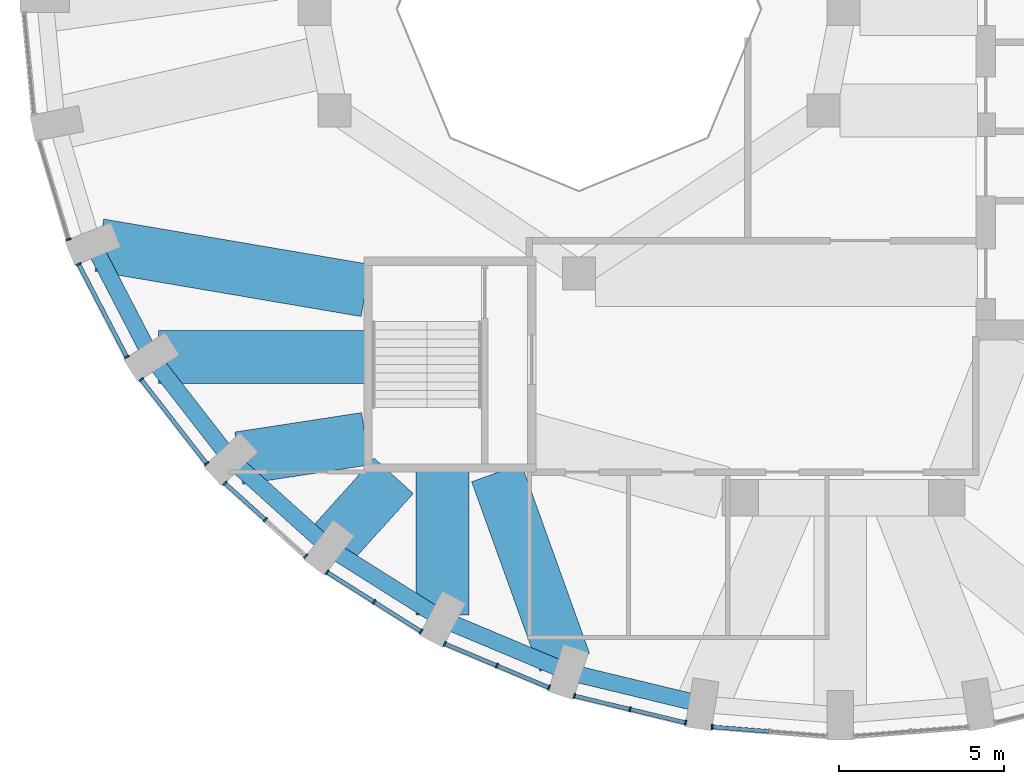
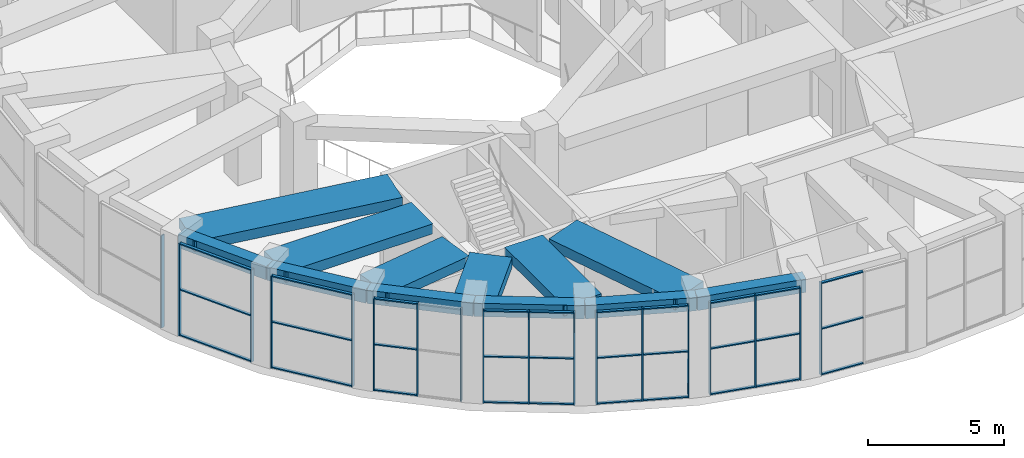
# One storey, part 2 of 17: 48 members, 12 beams, 8 elements without a shape of their own.
"""IFC4 building model written with IfcOpenShell, lengths in metres."""

from ifc_helpers import new_model, si_unit, direction, frame, origin, origin_2d, place, context, subcontext, project, spatial, rectangle, extrude, material, material_profile, profile_set, type_object, element, aggregate, save


model = new_model("IFC4")

# Units and contexts
model_context = context("Model", 3, precision=1e-05, world=origin(), true_north=direction((0.0, 1.0)))
body_context = subcontext(model_context, "Body", "Model", "MODEL_VIEW")
ifc_project = project(units=[si_unit("LENGTHUNIT", "METRE"), si_unit("AREAUNIT", "SQUARE_METRE"), si_unit("VOLUMEUNIT", "CUBIC_METRE"), si_unit("PLANEANGLEUNIT", "RADIAN"), si_unit("MASSUNIT", "GRAM", prefix="KILO")], contexts=[model_context])

# Site, building, storey
site_placement = place(None, origin())
site = spatial("IfcSite", under=ifc_project, at=site_placement, CompositionType="ELEMENT")
building_placement = place(site_placement, origin())
building = spatial("IfcBuilding", under=site, at=building_placement, Name="Taillehof Tower", CompositionType="ELEMENT")
storey_placement = place(building_placement, frame((0.0, 0.0, 259.699951171875)))
storey = spatial("IfcBuildingStorey", under=building, at=storey_placement, Name="L74", CompositionType="ELEMENT", Elevation=259.699951171875)

# Curtain wall, member
ifc_material_1 = material(Name="Aluminium curtain wall with Clear low-emissivity double glazing", Category="aluminium")
curtain_wall_type = type_object("IfcCurtainWallType", Name="Club lounge curtain wall", PredefinedType="USERDEFINED", material=ifc_material_1)
curtain_wall_1_placement = place(storey_placement, origin())
curtain_wall_1 = element("IfcCurtainWall", 1, at=curtain_wall_1_placement, inside=storey, type_object=curtain_wall_type, Name="Club lounge L74 bay 20", ObjectType="WINDOW WALL", PredefinedType="USERDEFINED")
ifc_material_2 = material(Name="Aluminium mullion", Category="aluminium")
ifc_material_profile_1 = material_profile(ifc_material_2, rectangle(XDim=0.159912109375, YDim=0.050048828125, at=origin_2d()), Name="AL 50x160")
ifc_profile_set_1 = profile_set([ifc_material_profile_1], Name="Aluminium mullion")
member_type_1 = type_object("IfcMemberType", Name="Club lounge mullion 50x160", PredefinedType="MULLION", material=ifc_profile_set_1)
member_1_placement = place(storey_placement, frame((-23.427490234375, -6.96142578125, 0.0), z_axis=(0.0, 0.0, 1.0), x_axis=(0.958457446134, 0.285235558707, 0.0)))
member_1 = element("IfcMember", 2, at=member_1_placement, type_object=member_type_1, Name="CT4E20 mullion 2", PredefinedType="MULLION", context=body_context, shape_type="SweptSolid", body=[
    extrude(rectangle(XDim=0.159912109375, YDim=0.050048828125, at=origin_2d()), origin(), (0.0, 0.0, 1.0), 4.150146484375),
])
aggregate(curtain_wall_1, [member_1])

# Curtain wall, members
curtain_wall_2_placement = place(storey_placement, origin())
curtain_wall_2 = element("IfcCurtainWall", 3, at=curtain_wall_2_placement, inside=storey, type_object=curtain_wall_type, Name="Club lounge L74 bay 21", ObjectType="WINDOW WALL", PredefinedType="USERDEFINED")
member_2_placement = place(storey_placement, frame((-23.124267578125, -7.71240234375, 0.0), z_axis=(0.0, 0.0, 1.0), x_axis=(0.887975262702, 0.459891218474, 0.0)))
member_2 = element("IfcMember", 4, at=member_2_placement, type_object=member_type_1, Name="CT4E21 mullion 1", PredefinedType="MULLION", context=body_context, shape_type="SweptSolid", body=[
    extrude(rectangle(XDim=0.159912109375, YDim=0.050048828125, at=origin_2d()), origin(), (0.0, 0.0, 1.0), 4.150146484375),
])
member_3_placement = place(storey_placement, frame((-21.670654296875, -10.51904296875, 0.0), z_axis=(0.0, 0.0, 1.0), x_axis=(0.887975262702, 0.459891218474, 0.0)))
member_3 = element("IfcMember", 5, at=member_3_placement, type_object=member_type_1, Name="CT4E21 mullion 2", PredefinedType="MULLION", context=body_context, shape_type="SweptSolid", body=[
    extrude(rectangle(XDim=0.159912109375, YDim=0.050048828125, at=origin_2d()), origin(), (0.0, 0.0, 1.0), 4.150146484375),
])

curtain_wall_3_placement = place(storey_placement, origin())
curtain_wall_3 = element("IfcCurtainWall", 6, at=curtain_wall_3_placement, inside=storey, type_object=curtain_wall_type, Name="Club lounge L74 bay 22", ObjectType="WINDOW WALL", PredefinedType="USERDEFINED")
member_4_placement = place(storey_placement, frame((-21.23388671875, -11.201416015625, 0.0), z_axis=(0.0, 0.0, 1.0), x_axis=(0.789381612432, 0.613902818005, 0.0)))
member_4 = element("IfcMember", 7, at=member_4_placement, type_object=member_type_1, Name="CT4E22 mullion 1", PredefinedType="MULLION", context=body_context, shape_type="SweptSolid", body=[
    extrude(rectangle(XDim=0.159912109375, YDim=0.050048828125, at=origin_2d()), origin(), (0.0, 0.0, 1.0), 4.150146484375),
])
member_5_placement = place(storey_placement, frame((-19.25634765625, -13.744384765625, 0.0), z_axis=(0.0, 0.0, 1.0), x_axis=(0.789381612432, 0.613902818005, 0.0)))
member_5 = element("IfcMember", 8, at=member_5_placement, type_object=member_type_1, Name="CT4E22 mullion 2", PredefinedType="MULLION", context=body_context, shape_type="SweptSolid", body=[
    extrude(rectangle(XDim=0.159912109375, YDim=0.050048828125, at=origin_2d()), origin(), (0.0, 0.0, 1.0), 4.150146484375),
])

curtain_wall_4_placement = place(storey_placement, origin())
curtain_wall_4 = element("IfcCurtainWall", 9, at=curtain_wall_4_placement, inside=storey, type_object=curtain_wall_type, Name="Club lounge L74 bay 23", ObjectType="WINDOW WALL", PredefinedType="USERDEFINED")
member_6_placement = place(storey_placement, frame((-18.70458984375, -14.33740234375, 0.0), z_axis=(0.0, 0.0, 1.0), x_axis=(0.669107157872, 0.74316593792, 0.0)))
member_6 = element("IfcMember", 10, at=member_6_placement, type_object=member_type_1, Name="CT4E23 mullion 1", PredefinedType="MULLION", context=body_context, shape_type="SweptSolid", body=[
    extrude(rectangle(XDim=0.159912109375, YDim=0.050048828125, at=origin_2d()), origin(), (0.0, 0.0, 1.0), 4.150146484375),
])
member_7_placement = place(storey_placement, frame((-17.48193359375, -15.43798828125, 0.0), z_axis=(0.0, 0.0, 1.0), x_axis=(0.669107157872, 0.74316593792, 0.0)))
member_7 = element("IfcMember", 11, at=member_7_placement, type_object=member_type_1, Name="CT4E23 mullion 2", PredefinedType="MULLION", context=body_context, shape_type="SweptSolid", body=[
    extrude(rectangle(XDim=0.159912109375, YDim=0.050048828125, at=origin_2d()), origin(), (0.0, 0.0, 1.0), 4.150146484375),
])
member_8_placement = place(storey_placement, frame((-16.259521484375, -16.53857421875, 0.0), z_axis=(0.0, 0.0, 1.0), x_axis=(0.669107157872, 0.74316593792, 0.0)))
member_8 = element("IfcMember", 12, at=member_8_placement, type_object=member_type_1, Name="CT4E23 mullion 3", PredefinedType="MULLION", context=body_context, shape_type="SweptSolid", body=[
    extrude(rectangle(XDim=0.159912109375, YDim=0.050048828125, at=origin_2d()), origin(), (0.0, 0.0, 1.0), 4.150146484375),
])

curtain_wall_5_placement = place(storey_placement, origin())
curtain_wall_5 = element("IfcCurtainWall", 13, at=curtain_wall_5_placement, inside=storey, type_object=curtain_wall_type, Name="Club lounge L74 bay 24", ObjectType="WINDOW WALL", PredefinedType="USERDEFINED")
member_9_placement = place(storey_placement, frame((-15.613525390625, -17.02734375, 0.0), z_axis=(0.0, 0.0, 1.0), x_axis=(0.533294430468, 0.845929695916, 0.0)))
member_9 = element("IfcMember", 14, at=member_9_placement, type_object=member_type_1, Name="CT4E24 mullion 1", PredefinedType="MULLION", context=body_context, shape_type="SweptSolid", body=[
    extrude(rectangle(XDim=0.159912109375, YDim=0.050048828125, at=origin_2d()), origin(), (0.0, 0.0, 1.0), 4.150146484375),
])
member_10_placement = place(storey_placement, frame((-14.193603515625, -17.922607421875, 0.0), z_axis=(0.0, 0.0, 1.0), x_axis=(0.533294430468, 0.845929695916, 0.0)))
member_10 = element("IfcMember", 15, at=member_10_placement, type_object=member_type_1, Name="CT4E24 mullion 2", PredefinedType="MULLION", context=body_context, shape_type="SweptSolid", body=[
    extrude(rectangle(XDim=0.159912109375, YDim=0.050048828125, at=origin_2d()), origin(), (0.0, 0.0, 1.0), 4.150146484375),
])
member_11_placement = place(storey_placement, frame((-12.773681640625, -18.817626953125, 0.0), z_axis=(0.0, 0.0, 1.0), x_axis=(0.533294430468, 0.845929695916, 0.0)))
member_11 = element("IfcMember", 16, at=member_11_placement, type_object=member_type_1, Name="CT4E24 mullion 3", PredefinedType="MULLION", context=body_context, shape_type="SweptSolid", body=[
    extrude(rectangle(XDim=0.159912109375, YDim=0.050048828125, at=origin_2d()), origin(), (0.0, 0.0, 1.0), 4.150146484375),
])

curtain_wall_6_placement = place(storey_placement, origin())
curtain_wall_6 = element("IfcCurtainWall", 17, at=curtain_wall_6_placement, inside=storey, type_object=curtain_wall_type, Name="Club lounge L74 bay 25", ObjectType="WINDOW WALL", PredefinedType="USERDEFINED")
member_12_placement = place(storey_placement, frame((-12.055419921875, -19.191650390625, 0.0), z_axis=(0.0, 0.0, 1.0), x_axis=(0.387100713636, 0.922037438233, 0.0)))
member_12 = element("IfcMember", 18, at=member_12_placement, type_object=member_type_1, Name="CT4E25 mullion 1", PredefinedType="MULLION", context=body_context, shape_type="SweptSolid", body=[
    extrude(rectangle(XDim=0.159912109375, YDim=0.050048828125, at=origin_2d()), origin(), (0.0, 0.0, 1.0), 4.150146484375),
])
member_13_placement = place(storey_placement, frame((-10.480712890625, -19.852783203125, 0.0), z_axis=(0.0, 0.0, 1.0), x_axis=(0.387100713636, 0.922037438233, 0.0)))
member_13 = element("IfcMember", 19, at=member_13_placement, type_object=member_type_1, Name="CT4E25 mullion 2", PredefinedType="MULLION", context=body_context, shape_type="SweptSolid", body=[
    extrude(rectangle(XDim=0.159912109375, YDim=0.050048828125, at=origin_2d()), origin(), (0.0, 0.0, 1.0), 4.150146484375),
])
member_14_placement = place(storey_placement, frame((-8.90625, -20.513671875, 0.0), z_axis=(0.0, 0.0, 1.0), x_axis=(0.387100713636, 0.922037438233, 0.0)))
member_14 = element("IfcMember", 20, at=member_14_placement, type_object=member_type_1, Name="CT4E25 mullion 3", PredefinedType="MULLION", context=body_context, shape_type="SweptSolid", body=[
    extrude(rectangle(XDim=0.159912109375, YDim=0.050048828125, at=origin_2d()), origin(), (0.0, 0.0, 1.0), 4.150146484375),
])

curtain_wall_7_placement = place(storey_placement, origin())
curtain_wall_7 = element("IfcCurtainWall", 21, at=curtain_wall_7_placement, inside=storey, type_object=curtain_wall_type, Name="Club lounge L74 bay 26", ObjectType="WINDOW WALL", PredefinedType="USERDEFINED")
member_15_placement = place(storey_placement, frame((-8.13671875, -20.766357421875, 0.0), z_axis=(0.0, 0.0, 1.0), x_axis=(0.234514520129, 0.972112616855, 0.0)))
member_15 = element("IfcMember", 22, at=member_15_placement, type_object=member_type_1, Name="CT4E26 mullion 1", PredefinedType="MULLION", context=body_context, shape_type="SweptSolid", body=[
    extrude(rectangle(XDim=0.159912109375, YDim=0.050048828125, at=origin_2d()), origin(), (0.0, 0.0, 1.0), 4.150146484375),
])
member_16_placement = place(storey_placement, frame((-6.455810546875, -21.171875, 0.0), z_axis=(0.0, 0.0, 1.0), x_axis=(0.234514520129, 0.972112616855, 0.0)))
member_16 = element("IfcMember", 23, at=member_16_placement, type_object=member_type_1, Name="CT4E26 mullion 2", PredefinedType="MULLION", context=body_context, shape_type="SweptSolid", body=[
    extrude(rectangle(XDim=0.159912109375, YDim=0.050048828125, at=origin_2d()), origin(), (0.0, 0.0, 1.0), 4.150146484375),
])
member_17_placement = place(storey_placement, frame((-4.77490234375, -21.577392578125, 0.0), z_axis=(0.0, 0.0, 1.0), x_axis=(0.234514520129, 0.972112616855, 0.0)))
member_17 = element("IfcMember", 24, at=member_17_placement, type_object=member_type_1, Name="CT4E26 mullion 3", PredefinedType="MULLION", context=body_context, shape_type="SweptSolid", body=[
    extrude(rectangle(XDim=0.159912109375, YDim=0.050048828125, at=origin_2d()), origin(), (0.0, 0.0, 1.0), 4.150146484375),
])

# Curtain wall, member
curtain_wall_8_placement = place(storey_placement, origin())
curtain_wall_8 = element("IfcCurtainWall", 25, at=curtain_wall_8_placement, inside=storey, type_object=curtain_wall_type, Name="Club lounge L74 bay 27", ObjectType="WINDOW WALL", PredefinedType="USERDEFINED")
member_18_placement = place(storey_placement, frame((-3.97509765625, -21.70458984375, 0.0), z_axis=(0.0, 0.0, 1.0), x_axis=(0.078525059075, 0.996912140109, 0.0)))
member_18 = element("IfcMember", 26, at=member_18_placement, type_object=member_type_1, Name="CT4E27 mullion 1", PredefinedType="MULLION", context=body_context, shape_type="SweptSolid", body=[
    extrude(rectangle(XDim=0.159912109375, YDim=0.050048828125, at=origin_2d()), origin(), (0.0, 0.0, 1.0), 4.150146484375),
])

# Member
ifc_material_3 = material(Name="Aluminium transom", Category="aluminium")
ifc_material_profile_2 = material_profile(ifc_material_3, rectangle(XDim=0.1201171875, YDim=0.050048828125, at=origin_2d()), Name="AL 120x50")
ifc_profile_set_2 = profile_set([ifc_material_profile_2], Name="Aluminium transom")
member_type_2 = type_object("IfcMemberType", Name="Club lounge transom 120x50", PredefinedType="USERDEFINED", material=ifc_profile_set_2)
member_19_placement = place(storey_placement, frame((-23.11279296875, -7.734619140625, 0.025146484375), z_axis=(0.459881873637, -0.887980102424, 0.0), x_axis=(0.887980102424, 0.459881873637, 0.0)))
member_19 = element("IfcMember", 27, at=member_19_placement, type_object=member_type_2, Name="CT4E21 transom 1.1", ObjectType="TRANSOM", PredefinedType="USERDEFINED", context=body_context, shape_type="SweptSolid", body=[
    extrude(rectangle(XDim=0.1201171875, YDim=0.050048828125, at=origin_2d()), origin(), (0.0, 0.0, 1.0), 3.11083984375),
])

member_20_placement = place(storey_placement, frame((-23.11279296875, -7.734619140625, 2.074951171875), z_axis=(0.459881873637, -0.887980102424, 0.0), x_axis=(0.887980102424, 0.459881873637, 0.0)))
member_20 = element("IfcMember", 28, at=member_20_placement, type_object=member_type_2, Name="CT4E21 transom 1.2", ObjectType="TRANSOM", PredefinedType="USERDEFINED", context=body_context, shape_type="SweptSolid", body=[
    extrude(rectangle(XDim=0.1201171875, YDim=0.050048828125, at=origin_2d()), origin(), (0.0, 0.0, 1.0), 3.11083984375),
])

member_21_placement = place(storey_placement, frame((-23.11279296875, -7.734619140625, 4.125), z_axis=(0.459881873637, -0.887980102424, 0.0), x_axis=(0.887980102424, 0.459881873637, 0.0)))
member_21 = element("IfcMember", 29, at=member_21_placement, type_object=member_type_2, Name="CT4E21 transom 1.3", ObjectType="TRANSOM", PredefinedType="USERDEFINED", context=body_context, shape_type="SweptSolid", body=[
    extrude(rectangle(XDim=0.1201171875, YDim=0.050048828125, at=origin_2d()), origin(), (0.0, 0.0, 1.0), 3.11083984375),
])

aggregate(curtain_wall_2, [member_2, member_3, member_19, member_20, member_21])

member_22_placement = place(storey_placement, frame((-21.21875, -11.220947265625, 0.025146484375), z_axis=(0.613935284613, -0.789356362049, 0.0), x_axis=(0.789356362049, 0.613935284613, 0.0)))
member_22 = element("IfcMember", 30, at=member_22_placement, type_object=member_type_2, Name="CT4E22 transom 1.1", ObjectType="TRANSOM", PredefinedType="USERDEFINED", context=body_context, shape_type="SweptSolid", body=[
    extrude(rectangle(XDim=0.1201171875, YDim=0.050048828125, at=origin_2d()), origin(), (0.0, 0.0, 1.0), 3.171875),
])

member_23_placement = place(storey_placement, frame((-21.21875, -11.220947265625, 2.074951171875), z_axis=(0.613935284613, -0.789356362049, 0.0), x_axis=(0.789356362049, 0.613935284613, 0.0)))
member_23 = element("IfcMember", 31, at=member_23_placement, type_object=member_type_2, Name="CT4E22 transom 1.2", ObjectType="TRANSOM", PredefinedType="USERDEFINED", context=body_context, shape_type="SweptSolid", body=[
    extrude(rectangle(XDim=0.1201171875, YDim=0.050048828125, at=origin_2d()), origin(), (0.0, 0.0, 1.0), 3.171875),
])

member_24_placement = place(storey_placement, frame((-21.21875, -11.220947265625, 4.125), z_axis=(0.613935284613, -0.789356362049, 0.0), x_axis=(0.789356362049, 0.613935284613, 0.0)))
member_24 = element("IfcMember", 32, at=member_24_placement, type_object=member_type_2, Name="CT4E22 transom 1.3", ObjectType="TRANSOM", PredefinedType="USERDEFINED", context=body_context, shape_type="SweptSolid", body=[
    extrude(rectangle(XDim=0.1201171875, YDim=0.050048828125, at=origin_2d()), origin(), (0.0, 0.0, 1.0), 3.171875),
])

aggregate(curtain_wall_3, [member_4, member_5, member_22, member_23, member_24])

member_25_placement = place(storey_placement, frame((-18.685791015625, -14.35400390625, 0.025146484375), z_axis=(0.743103848855, -0.669176112707, 0.0), x_axis=(0.669176112707, 0.743103848855, 0.0)))
member_25 = element("IfcMember", 33, at=member_25_placement, type_object=member_type_2, Name="CT4E23 transom 1.1", ObjectType="TRANSOM", PredefinedType="USERDEFINED", context=body_context, shape_type="SweptSolid", body=[
    extrude(rectangle(XDim=0.1201171875, YDim=0.050048828125, at=origin_2d()), origin(), (0.0, 0.0, 1.0), 1.594970703125),
])

member_26_placement = place(storey_placement, frame((-18.685791015625, -14.35400390625, 2.074951171875), z_axis=(0.743103848855, -0.669176112707, 0.0), x_axis=(0.669176112707, 0.743103848855, 0.0)))
member_26 = element("IfcMember", 34, at=member_26_placement, type_object=member_type_2, Name="CT4E23 transom 1.2", ObjectType="TRANSOM", PredefinedType="USERDEFINED", context=body_context, shape_type="SweptSolid", body=[
    extrude(rectangle(XDim=0.1201171875, YDim=0.050048828125, at=origin_2d()), origin(), (0.0, 0.0, 1.0), 1.594970703125),
])

member_27_placement = place(storey_placement, frame((-18.685791015625, -14.35400390625, 4.125), z_axis=(0.743103848855, -0.669176112707, 0.0), x_axis=(0.669176112707, 0.743103848855, 0.0)))
member_27 = element("IfcMember", 35, at=member_27_placement, type_object=member_type_2, Name="CT4E23 transom 1.3", ObjectType="TRANSOM", PredefinedType="USERDEFINED", context=body_context, shape_type="SweptSolid", body=[
    extrude(rectangle(XDim=0.1201171875, YDim=0.050048828125, at=origin_2d()), origin(), (0.0, 0.0, 1.0), 1.594970703125),
])

aggregate(curtain_wall_4, [member_6, member_7, member_8, member_25, member_26, member_27])

member_28_placement = place(storey_placement, frame((-15.592529296875, -17.040771484375, 0.025146484375), z_axis=(0.845962356538, -0.533242619565, 0.0), x_axis=(0.533242619565, 0.845962356538, 0.0)))
member_28 = element("IfcMember", 36, at=member_28_placement, type_object=member_type_2, Name="CT4E24 transom 1.1", ObjectType="TRANSOM", PredefinedType="USERDEFINED", context=body_context, shape_type="SweptSolid", body=[
    extrude(rectangle(XDim=0.1201171875, YDim=0.050048828125, at=origin_2d()), origin(), (0.0, 0.0, 1.0), 1.628662109375),
])

member_29_placement = place(storey_placement, frame((-15.592529296875, -17.040771484375, 2.074951171875), z_axis=(0.845962356538, -0.533242619565, 0.0), x_axis=(0.533242619565, 0.845962356538, 0.0)))
member_29 = element("IfcMember", 37, at=member_29_placement, type_object=member_type_2, Name="CT4E24 transom 1.2", ObjectType="TRANSOM", PredefinedType="USERDEFINED", context=body_context, shape_type="SweptSolid", body=[
    extrude(rectangle(XDim=0.1201171875, YDim=0.050048828125, at=origin_2d()), origin(), (0.0, 0.0, 1.0), 1.628662109375),
])

member_30_placement = place(storey_placement, frame((-15.592529296875, -17.040771484375, 4.125), z_axis=(0.845962356538, -0.533242619565, 0.0), x_axis=(0.533242619565, 0.845962356538, 0.0)))
member_30 = element("IfcMember", 38, at=member_30_placement, type_object=member_type_2, Name="CT4E24 transom 1.3", ObjectType="TRANSOM", PredefinedType="USERDEFINED", context=body_context, shape_type="SweptSolid", body=[
    extrude(rectangle(XDim=0.1201171875, YDim=0.050048828125, at=origin_2d()), origin(), (0.0, 0.0, 1.0), 1.628662109375),
])

member_31_placement = place(storey_placement, frame((-14.172607421875, -17.935791015625, 0.025146484375), z_axis=(0.845894728647, -0.533349892704, 0.0), x_axis=(0.533349892704, 0.845894728647, 0.0)))
member_31 = element("IfcMember", 39, at=member_31_placement, type_object=member_type_2, Name="CT4E24 transom 2.1", ObjectType="TRANSOM", PredefinedType="USERDEFINED", context=body_context, shape_type="SweptSolid", body=[
    extrude(rectangle(XDim=0.1201171875, YDim=0.050048828125, at=origin_2d()), origin(), (0.0, 0.0, 1.0), 1.628662109375),
])

member_32_placement = place(storey_placement, frame((-14.172607421875, -17.935791015625, 2.074951171875), z_axis=(0.845894728647, -0.533349892704, 0.0), x_axis=(0.533349892704, 0.845894728647, 0.0)))
member_32 = element("IfcMember", 40, at=member_32_placement, type_object=member_type_2, Name="CT4E24 transom 2.2", ObjectType="TRANSOM", PredefinedType="USERDEFINED", context=body_context, shape_type="SweptSolid", body=[
    extrude(rectangle(XDim=0.1201171875, YDim=0.050048828125, at=origin_2d()), origin(), (0.0, 0.0, 1.0), 1.628662109375),
])

member_33_placement = place(storey_placement, frame((-14.172607421875, -17.935791015625, 4.125), z_axis=(0.845894728647, -0.533349892704, 0.0), x_axis=(0.533349892704, 0.845894728647, 0.0)))
member_33 = element("IfcMember", 41, at=member_33_placement, type_object=member_type_2, Name="CT4E24 transom 2.3", ObjectType="TRANSOM", PredefinedType="USERDEFINED", context=body_context, shape_type="SweptSolid", body=[
    extrude(rectangle(XDim=0.1201171875, YDim=0.050048828125, at=origin_2d()), origin(), (0.0, 0.0, 1.0), 1.628662109375),
])

aggregate(curtain_wall_5, [member_9, member_10, member_11, member_28, member_29, member_30, member_31, member_32, member_33])

member_34_placement = place(storey_placement, frame((-12.0322265625, -19.201416015625, 0.025146484375), z_axis=(0.922045196858, -0.387082232802, 0.0), x_axis=(0.387082232802, 0.922045196858, 0.0)))
member_34 = element("IfcMember", 42, at=member_34_placement, type_object=member_type_2, Name="CT4E25 transom 1.1", ObjectType="TRANSOM", PredefinedType="USERDEFINED", context=body_context, shape_type="SweptSolid", body=[
    extrude(rectangle(XDim=0.1201171875, YDim=0.050048828125, at=origin_2d()), origin(), (0.0, 0.0, 1.0), 1.657470703125),
])

member_35_placement = place(storey_placement, frame((-12.0322265625, -19.201416015625, 2.074951171875), z_axis=(0.922045196858, -0.387082232802, 0.0), x_axis=(0.387082232802, 0.922045196858, 0.0)))
member_35 = element("IfcMember", 43, at=member_35_placement, type_object=member_type_2, Name="CT4E25 transom 1.2", ObjectType="TRANSOM", PredefinedType="USERDEFINED", context=body_context, shape_type="SweptSolid", body=[
    extrude(rectangle(XDim=0.1201171875, YDim=0.050048828125, at=origin_2d()), origin(), (0.0, 0.0, 1.0), 1.657470703125),
])

member_36_placement = place(storey_placement, frame((-12.0322265625, -19.201416015625, 4.125), z_axis=(0.922045196858, -0.387082232802, 0.0), x_axis=(0.387082232802, 0.922045196858, 0.0)))
member_36 = element("IfcMember", 44, at=member_36_placement, type_object=member_type_2, Name="CT4E25 transom 1.3", ObjectType="TRANSOM", PredefinedType="USERDEFINED", context=body_context, shape_type="SweptSolid", body=[
    extrude(rectangle(XDim=0.1201171875, YDim=0.050048828125, at=origin_2d()), origin(), (0.0, 0.0, 1.0), 1.657470703125),
])

member_37_placement = place(storey_placement, frame((-10.457763671875, -19.8623046875, 0.025146484375), z_axis=(0.922014699526, -0.387154870636, 0.0), x_axis=(0.387154870636, 0.922014699526, 0.0)))
member_37 = element("IfcMember", 45, at=member_37_placement, type_object=member_type_2, Name="CT4E25 transom 2.1", ObjectType="TRANSOM", PredefinedType="USERDEFINED", context=body_context, shape_type="SweptSolid", body=[
    extrude(rectangle(XDim=0.1201171875, YDim=0.050048828125, at=origin_2d()), origin(), (0.0, 0.0, 1.0), 1.657958984375),
])

member_38_placement = place(storey_placement, frame((-10.457763671875, -19.8623046875, 2.074951171875), z_axis=(0.922014699526, -0.387154870636, 0.0), x_axis=(0.387154870636, 0.922014699526, 0.0)))
member_38 = element("IfcMember", 46, at=member_38_placement, type_object=member_type_2, Name="CT4E25 transom 2.2", ObjectType="TRANSOM", PredefinedType="USERDEFINED", context=body_context, shape_type="SweptSolid", body=[
    extrude(rectangle(XDim=0.1201171875, YDim=0.050048828125, at=origin_2d()), origin(), (0.0, 0.0, 1.0), 1.657958984375),
])

member_39_placement = place(storey_placement, frame((-10.457763671875, -19.8623046875, 4.125), z_axis=(0.922014699526, -0.387154870636, 0.0), x_axis=(0.387154870636, 0.922014699526, 0.0)))
member_39 = element("IfcMember", 47, at=member_39_placement, type_object=member_type_2, Name="CT4E25 transom 2.3", ObjectType="TRANSOM", PredefinedType="USERDEFINED", context=body_context, shape_type="SweptSolid", body=[
    extrude(rectangle(XDim=0.1201171875, YDim=0.050048828125, at=origin_2d()), origin(), (0.0, 0.0, 1.0), 1.657958984375),
])

aggregate(curtain_wall_6, [member_12, member_13, member_14, member_34, member_35, member_36, member_37, member_38, member_39])

member_40_placement = place(storey_placement, frame((-8.1123046875, -20.772216796875, 0.025146484375), z_axis=(0.972110790257, -0.234522091637, 0.0), x_axis=(0.234522091637, 0.972110790257, 0.0)))
member_40 = element("IfcMember", 48, at=member_40_placement, type_object=member_type_2, Name="CT4E26 transom 1.1", ObjectType="TRANSOM", PredefinedType="USERDEFINED", context=body_context, shape_type="SweptSolid", body=[
    extrude(rectangle(XDim=0.1201171875, YDim=0.050048828125, at=origin_2d()), origin(), (0.0, 0.0, 1.0), 1.67919921875),
])

member_41_placement = place(storey_placement, frame((-8.1123046875, -20.772216796875, 2.074951171875), z_axis=(0.972110790257, -0.234522091637, 0.0), x_axis=(0.234522091637, 0.972110790257, 0.0)))
member_41 = element("IfcMember", 49, at=member_41_placement, type_object=member_type_2, Name="CT4E26 transom 1.2", ObjectType="TRANSOM", PredefinedType="USERDEFINED", context=body_context, shape_type="SweptSolid", body=[
    extrude(rectangle(XDim=0.1201171875, YDim=0.050048828125, at=origin_2d()), origin(), (0.0, 0.0, 1.0), 1.67919921875),
])

member_42_placement = place(storey_placement, frame((-8.1123046875, -20.772216796875, 4.125), z_axis=(0.972110790257, -0.234522091637, 0.0), x_axis=(0.234522091637, 0.972110790257, 0.0)))
member_42 = element("IfcMember", 50, at=member_42_placement, type_object=member_type_2, Name="CT4E26 transom 1.3", ObjectType="TRANSOM", PredefinedType="USERDEFINED", context=body_context, shape_type="SweptSolid", body=[
    extrude(rectangle(XDim=0.1201171875, YDim=0.050048828125, at=origin_2d()), origin(), (0.0, 0.0, 1.0), 1.67919921875),
])

member_43_placement = place(storey_placement, frame((-6.431396484375, -21.177734375, 0.025146484375), z_axis=(0.972102791749, -0.234555243544, 0.0), x_axis=(0.234555243544, 0.972102791749, 0.0)))
member_43 = element("IfcMember", 51, at=member_43_placement, type_object=member_type_2, Name="CT4E26 transom 2.1", ObjectType="TRANSOM", PredefinedType="USERDEFINED", context=body_context, shape_type="SweptSolid", body=[
    extrude(rectangle(XDim=0.1201171875, YDim=0.050048828125, at=origin_2d()), origin(), (0.0, 0.0, 1.0), 1.678955078125),
])

member_44_placement = place(storey_placement, frame((-6.431396484375, -21.177734375, 2.074951171875), z_axis=(0.972102791749, -0.234555243544, 0.0), x_axis=(0.234555243544, 0.972102791749, 0.0)))
member_44 = element("IfcMember", 52, at=member_44_placement, type_object=member_type_2, Name="CT4E26 transom 2.2", ObjectType="TRANSOM", PredefinedType="USERDEFINED", context=body_context, shape_type="SweptSolid", body=[
    extrude(rectangle(XDim=0.1201171875, YDim=0.050048828125, at=origin_2d()), origin(), (0.0, 0.0, 1.0), 1.678955078125),
])

member_45_placement = place(storey_placement, frame((-6.431396484375, -21.177734375, 4.125), z_axis=(0.972102791749, -0.234555243544, 0.0), x_axis=(0.234555243544, 0.972102791749, 0.0)))
member_45 = element("IfcMember", 53, at=member_45_placement, type_object=member_type_2, Name="CT4E26 transom 2.3", ObjectType="TRANSOM", PredefinedType="USERDEFINED", context=body_context, shape_type="SweptSolid", body=[
    extrude(rectangle(XDim=0.1201171875, YDim=0.050048828125, at=origin_2d()), origin(), (0.0, 0.0, 1.0), 1.678955078125),
])

aggregate(curtain_wall_7, [member_15, member_16, member_17, member_40, member_41, member_42, member_43, member_44, member_45])

member_46_placement = place(storey_placement, frame((-3.949951171875, -21.70654296875, 0.025146484375), z_axis=(0.996919583592, -0.078430503317, 0.0), x_axis=(0.078430503317, 0.996919583592, 0.0)))
member_46 = element("IfcMember", 54, at=member_46_placement, type_object=member_type_2, Name="CT4E27 transom 1.1", ObjectType="TRANSOM", PredefinedType="USERDEFINED", context=body_context, shape_type="SweptSolid", body=[
    extrude(rectangle(XDim=0.1201171875, YDim=0.050048828125, at=origin_2d()), origin(), (0.0, 0.0, 1.0), 1.690185546875),
])

member_47_placement = place(storey_placement, frame((-3.949951171875, -21.70654296875, 2.074951171875), z_axis=(0.996919583592, -0.078430503317, 0.0), x_axis=(0.078430503317, 0.996919583592, 0.0)))
member_47 = element("IfcMember", 55, at=member_47_placement, type_object=member_type_2, Name="CT4E27 transom 1.2", ObjectType="TRANSOM", PredefinedType="USERDEFINED", context=body_context, shape_type="SweptSolid", body=[
    extrude(rectangle(XDim=0.1201171875, YDim=0.050048828125, at=origin_2d()), origin(), (0.0, 0.0, 1.0), 1.690185546875),
])

member_48_placement = place(storey_placement, frame((-3.949951171875, -21.70654296875, 4.125), z_axis=(0.996919583592, -0.078430503317, 0.0), x_axis=(0.078430503317, 0.996919583592, 0.0)))
member_48 = element("IfcMember", 56, at=member_48_placement, type_object=member_type_2, Name="CT4E27 transom 1.3", ObjectType="TRANSOM", PredefinedType="USERDEFINED", context=body_context, shape_type="SweptSolid", body=[
    extrude(rectangle(XDim=0.1201171875, YDim=0.050048828125, at=origin_2d()), origin(), (0.0, 0.0, 1.0), 1.690185546875),
])

aggregate(curtain_wall_8, [member_18, member_46, member_47, member_48])

# Beams
ifc_material_4 = material(Name="Concrete C50/60", Category="concrete")
ifc_material_profile_3 = material_profile(ifc_material_4, rectangle(XDim=1.60009765625, YDim=0.449951171875, at=origin_2d()), Name="RC 1600x450")
ifc_profile_set_3 = profile_set([ifc_material_profile_3], Name="Concrete C50/60")
beam_type_1 = type_object("IfcBeamType", Name="Radial band beam C50/60 1600x450", PredefinedType="BEAM", material=ifc_profile_set_3)
beam_1_placement = place(storey_placement, frame((-22.502685546875, -7.13818359375, 3.925048828125), z_axis=(0.985830005482, -0.167747430059, 0.0), x_axis=(0.167747430059, 0.985830005482, 0.0)))
element("IfcBeam", 57, at=beam_1_placement, inside=storey, type_object=beam_type_1, Name="Radial band beam RB21", PredefinedType="BEAM", context=body_context, shape_type="SweptSolid", body=[
    extrude(rectangle(XDim=1.60009765625, YDim=0.449951171875, at=origin_2d()), origin(), (0.0, 0.0, 1.0), 8.167724609375),
])
beam_2_placement = place(storey_placement, frame((-20.7119140625, -10.52490234375, 3.925048828125), z_axis=(1.0, 0.0, 0.0), x_axis=(0.0, 1.0, 0.0)))
element("IfcBeam", 58, at=beam_2_placement, inside=storey, type_object=beam_type_1, Name="Radial band beam RB22", PredefinedType="BEAM", context=body_context, shape_type="SweptSolid", body=[
    extrude(rectangle(XDim=1.60009765625, YDim=0.449951171875, at=origin_2d()), origin(), (0.0, 0.0, 1.0), 6.261962890625),
])
beam_3_placement = place(storey_placement, frame((-18.283447265625, -13.57958984375, 3.925048828125), z_axis=(0.988468308682, 0.151427879634, 0.0), x_axis=(-0.151427879634, 0.988468308682, 0.0)))
element("IfcBeam", 59, at=beam_3_placement, inside=storey, type_object=beam_type_1, Name="Radial band beam RB23", PredefinedType="BEAM", context=body_context, shape_type="SweptSolid", body=[
    extrude(rectangle(XDim=1.60009765625, YDim=0.449951171875, at=origin_2d()), origin(), (0.0, 0.0, 1.0), 3.87744140625),
])
beam_4_placement = place(storey_placement, frame((-15.55908203125, -16.284912109375, 3.925048828125), z_axis=(0.669439419649, 0.742866652516, 0.0), x_axis=(-0.742866652516, 0.669439419649, 0.0)))
element("IfcBeam", 60, at=beam_4_placement, inside=storey, type_object=beam_type_1, Name="Radial band beam RB24", PredefinedType="BEAM", context=body_context, shape_type="SweptSolid", body=[
    extrude(rectangle(XDim=1.60009765625, YDim=0.449951171875, at=origin_2d()), origin(), (0.0, 0.0, 1.0), 2.926025390625),
])
beam_5_placement = place(storey_placement, frame((-12.125, -18.3154296875, 3.925048828125), z_axis=(0.0, 1.0, 0.0), x_axis=(-1.0, 0.0, 0.0)))
element("IfcBeam", 61, at=beam_5_placement, inside=storey, type_object=beam_type_1, Name="Radial band beam RB25", PredefinedType="BEAM", context=body_context, shape_type="SweptSolid", body=[
    extrude(rectangle(XDim=1.60009765625, YDim=0.449951171875, at=origin_2d()), origin(), (0.0, 0.0, 1.0), 4.365478515625),
])
beam_6_placement = place(storey_placement, frame((-8.42919921875, -19.755859375, 3.925048828125), z_axis=(-0.338515207556, 0.940960920683, 0.0), x_axis=(-0.940960920683, -0.338515207556, 0.0)))
element("IfcBeam", 62, at=beam_6_placement, inside=storey, type_object=beam_type_1, Name="Radial band beam RB26", PredefinedType="BEAM", context=body_context, shape_type="SweptSolid", body=[
    extrude(rectangle(XDim=1.60009765625, YDim=0.449951171875, at=origin_2d()), origin(), (0.0, 0.0, 1.0), 6.094970703125),
])
ifc_material_5 = material(Name="Concrete C50/60", Category="concrete")
ifc_material_profile_4 = material_profile(ifc_material_5, rectangle(XDim=0.5, YDim=0.60009765625, at=origin_2d()), Name="RC 500x600")
ifc_profile_set_4 = profile_set([ifc_material_profile_4], Name="Concrete C50/60")
beam_type_2 = type_object("IfcBeamType", Name="Spandrel beam C50/60 500x600", PredefinedType="SPANDREL", material=ifc_profile_set_4)
beam_7_placement = place(storey_placement, frame((-22.69970703125, -7.104736328125, 3.85009765625), z_axis=(0.459971160554, -0.88793385534, 0.0), x_axis=(0.88793385534, 0.459971160554, 0.0)))
element("IfcBeam", 63, at=beam_7_placement, inside=storey, type_object=beam_type_2, Name="Spandrel beam SB21", PredefinedType="SPANDREL", context=body_context, shape_type="SweptSolid", body=[
    extrude(rectangle(XDim=0.5, YDim=0.60009765625, at=origin_2d()), origin(), (0.0, 0.0, 1.0), 3.851806640625),
])
beam_8_placement = place(storey_placement, frame((-20.927978515625, -10.52490234375, 3.85009765625), z_axis=(0.613940613515, -0.789352217376, 0.0), x_axis=(0.789352217376, 0.613940613515, 0.0)))
element("IfcBeam", 64, at=beam_8_placement, inside=storey, type_object=beam_type_2, Name="Spandrel beam SB22", PredefinedType="SPANDREL", context=body_context, shape_type="SweptSolid", body=[
    extrude(rectangle(XDim=0.5, YDim=0.60009765625, at=origin_2d()), origin(), (0.0, 0.0, 1.0), 3.91650390625),
])
beam_9_placement = place(storey_placement, frame((-18.5234375, -13.616455078125, 3.85009765625), z_axis=(0.743227182134, -0.669039128704, 0.0), x_axis=(0.669039128704, 0.743227182134, 0.0)))
element("IfcBeam", 65, at=beam_9_placement, inside=storey, type_object=beam_type_2, Name="Spandrel beam SB23", PredefinedType="SPANDREL", context=body_context, shape_type="SweptSolid", body=[
    extrude(rectangle(XDim=0.5, YDim=0.60009765625, at=origin_2d()), origin(), (0.0, 0.0, 1.0), 3.988525390625),
])
beam_10_placement = place(storey_placement, frame((-15.55908203125, -16.284912109375, 3.85009765625), z_axis=(0.845971606716, -0.533227944344, 0.0), x_axis=(0.533227944344, 0.845971606716, 0.0)))
element("IfcBeam", 66, at=beam_10_placement, inside=storey, type_object=beam_type_2, Name="Spandrel beam SB24", PredefinedType="SPANDREL", context=body_context, shape_type="SweptSolid", body=[
    extrude(rectangle(XDim=0.5, YDim=0.60009765625, at=origin_2d()), origin(), (0.0, 0.0, 1.0), 4.059326171875),
])
beam_11_placement = place(storey_placement, frame((-12.125, -18.449462890625, 3.85009765625), z_axis=(0.922046399446, -0.387079368178, 0.0), x_axis=(0.387079368178, 0.922046399446, 0.0)))
element("IfcBeam", 67, at=beam_11_placement, inside=storey, type_object=beam_type_2, Name="Spandrel beam SB25", PredefinedType="SPANDREL", context=body_context, shape_type="SweptSolid", body=[
    extrude(rectangle(XDim=0.5, YDim=0.60009765625, at=origin_2d()), origin(), (0.0, 0.0, 1.0), 4.12060546875),
])
beam_12_placement = place(storey_placement, frame((-8.32568359375, -20.04443359375, 3.85009765625), z_axis=(0.972132431202, -0.234432370218, 0.0), x_axis=(0.234432370218, 0.972132431202, 0.0)))
element("IfcBeam", 68, at=beam_12_placement, inside=storey, type_object=beam_type_2, Name="Spandrel beam SB26", PredefinedType="SPANDREL", context=body_context, shape_type="SweptSolid", body=[
    extrude(rectangle(XDim=0.5, YDim=0.60009765625, at=origin_2d()), origin(), (0.0, 0.0, 1.0), 4.16552734375),
])

save(model, "model.ifc")
